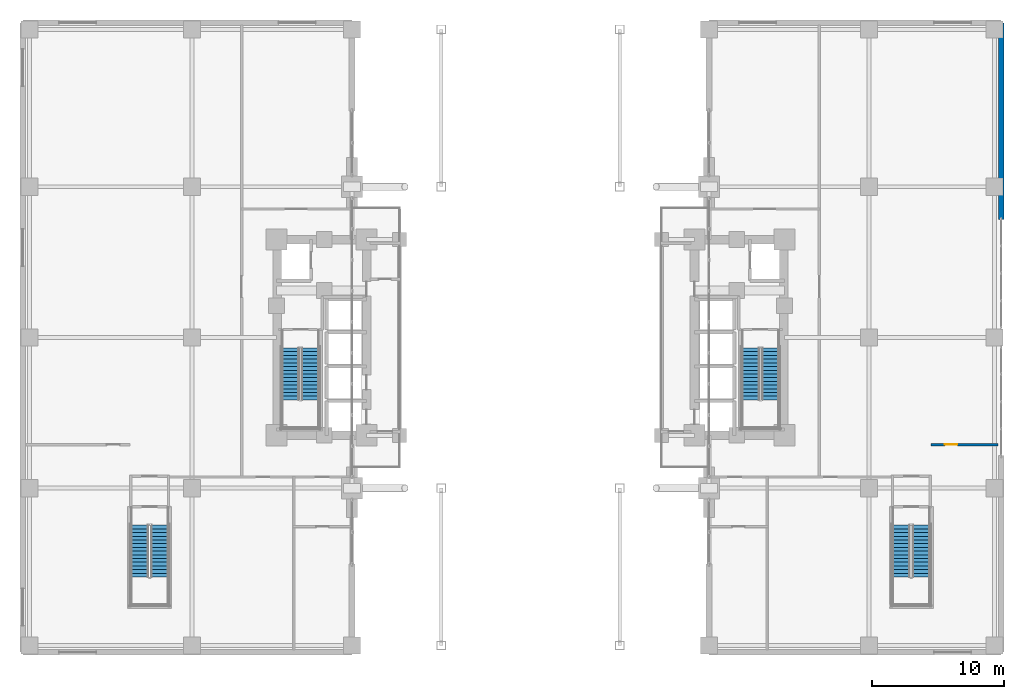
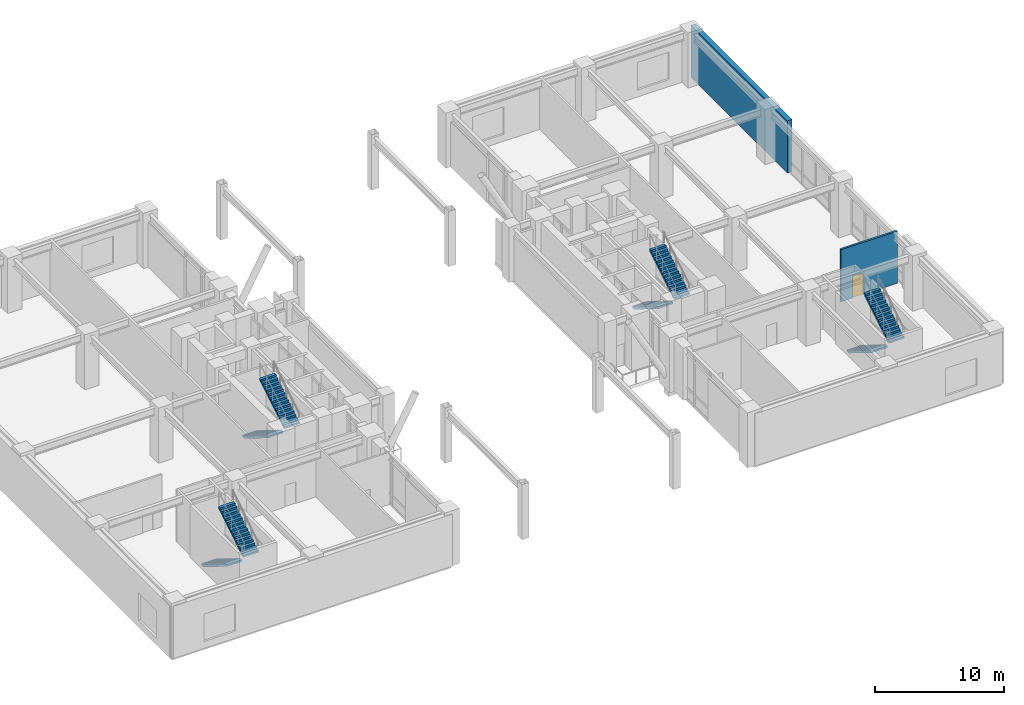
# One storey, part 23 of 27: 8 stair flights, 2 walls, 1 door, 1 opening, 4 elements without a shape of their own.
"""IFC4 building model written with IfcOpenShell, lengths in metres."""

from ifc_helpers import new_model, si_unit, direction, frame, frame_2d, origin, place, context, subcontext, project, spatial, polyline, rectangle, outline, extrude, material, layer, layer_set, type_object, element, fill, aggregate, save


model = new_model("IFC4")

# Units and contexts
model_context = context("Model", 3, precision=1e-05, world=origin(), true_north=direction((0.0, 1.0)))
body_context = subcontext(model_context, "Body", "Model", "MODEL_VIEW")
ifc_project = project(units=[si_unit("LENGTHUNIT", "METRE"), si_unit("AREAUNIT", "SQUARE_METRE"), si_unit("VOLUMEUNIT", "CUBIC_METRE"), si_unit("PLANEANGLEUNIT", "RADIAN"), si_unit("MASSUNIT", "GRAM", prefix="KILO")], contexts=[model_context])

# Site, building, storey
site_placement = place(None, origin())
site = spatial("IfcSite", under=ifc_project, at=site_placement, CompositionType="ELEMENT")
building_placement = place(site_placement, origin())
building = spatial("IfcBuilding", under=site, at=building_placement, Name="Voryun Gate Residences", CompositionType="ELEMENT")
storey_placement = place(building_placement, frame((0.0, 0.0, 5.199951171875)))
storey = spatial("IfcBuildingStorey", under=building, at=storey_placement, Name="L01", CompositionType="ELEMENT", Elevation=5.199951171875)

# Wall, opening, door
ifc_material_1 = material(Name="Gypsum acoustic fireboard")
ifc_layer_1 = layer(ifc_material_1, 0.179931640625, Name="W_CORR_RATED_180")
ifc_layer_set_1 = layer_set([ifc_layer_1], Name="Gypsum acoustic fireboard")
wall_type_1 = type_object("IfcWallType", Name="W_CORR_RATED_180", PredefinedType="PARTITIONING", material=ifc_layer_set_1)
wall_1_placement = place(storey_placement, frame((30.300048828125, -8.10009765625, 0.0), z_axis=(0.0, 0.0, 1.0), x_axis=(1.0, 0.0, 0.0)))
wall_1 = element("IfcWall", 1, at=wall_1_placement, inside=storey, type_object=wall_type_1, Name="Partition wall WP-L01-ECS1", PredefinedType="PARTITIONING", context=body_context, shape_type="SweptSolid", body=[
    extrude(rectangle(XDim=5.050048828125, YDim=0.179931640625, at=frame_2d((2.52490234375, 0.0))), origin(), (0.0, 0.0, 1.0), 4.920166015625),
])
opening_placement = place(wall_1_placement, frame((1.0400390625, 0.0, 0.0)))
opening = element("IfcOpeningElement", 2, at=opening_placement, cuts=wall_1, Name="Opening D-INT-1", PredefinedType="OPENING", context=body_context, shape_type="SweptSolid", body=[
    extrude(rectangle(XDim=0.949951171875, YDim=2.050048828125, at=frame_2d((0.47509765625, 1.02490234375))), frame((0.0, 0.099853515625, 0.0), z_axis=(0.0, -1.0, 0.0), x_axis=(1.0, 0.0, 0.0)), (0.0, 0.0, 1.0), 0.199951171875),
])
ifc_material_2 = material(Name="Architectural oak veneer")
door_type = type_object("IfcDoorType", Name="DR_INT_ROOM_950", OperationType="NOTDEFINED", PredefinedType="DOOR", material=ifc_material_2)
door_placement = place(opening_placement, origin())
door = element("IfcDoor", 3, at=door_placement, inside=storey, type_object=door_type, Name="Door DR-L01-ED3B", OperationType="SINGLE_SWING_RIGHT", OverallHeight=2.050048828125, OverallWidth=0.949951171875, PredefinedType="DOOR", context=body_context, shape_type="SweptSolid", body=[
    extrude(rectangle(XDim=0.949951171875, YDim=2.050048828125, at=frame_2d((0.47509765625, 1.02490234375))), frame((0.0, 0.02490234375, 0.0), z_axis=(0.0, -1.0, 0.0), x_axis=(1.0, 0.0, 0.0)), (0.0, 0.0, 1.0), 0.050048828125),
])
fill(opening, door)

# Wall
ifc_material_3 = material(Name="Granite masonry", Category="masonry")
ifc_layer_2 = layer(ifc_material_3, 0.419921875, Name="W_EXT_PODIUM_420")
ifc_layer_set_2 = layer_set([ifc_layer_2], Name="Granite masonry")
wall_type_2 = type_object("IfcWallType", Name="W_EXT_PODIUM_420", PredefinedType="ELEMENTEDWALL", material=ifc_layer_set_2)
wall_2_placement = place(storey_placement, frame((35.60009765625, 8.919921875, 0.0), z_axis=(0.0, 0.0, 1.0), x_axis=(0.0, 1.0, 0.0)))
element("IfcWall", 4, at=wall_2_placement, inside=storey, type_object=wall_type_2, Name="Exterior wall WEP-L01-EP-2B", PredefinedType="ELEMENTEDWALL", context=body_context, shape_type="SweptSolid", body=[
    extrude(rectangle(XDim=14.880126953125, YDim=0.419921875, at=frame_2d((7.43994140625, 0.0))), origin(), (0.0, 0.0, 1.0), 4.920166015625),
])

# Stair, stair flights
ifc_material_4 = material(Name="Concrete C40/50", Category="concrete")
stair_type_1 = type_object("IfcStairType", Name="STR_CORE_DOGLEG_1350", PredefinedType="HALF_TURN_STAIR", material=ifc_material_4)
stair_1_placement = place(storey_placement, origin())
stair_1 = element("IfcStair", 5, at=stair_1_placement, inside=storey, type_object=stair_type_1, Name="L01 Special Escape Stair ST-W1", PredefinedType="HALF_TURN_STAIR")
ifc_material_5 = material(Name="Concrete C40/50", Category="concrete")
stair_flight_type_1 = type_object("IfcStairFlightType", Name="FLT_CORE_1350", PredefinedType="STRAIGHT", material=ifc_material_5)
stair_flight_1_placement = place(storey_placement, frame((-18.14990234375, -0.800048828125, 0.0), z_axis=(0.0, 0.0, 1.0), x_axis=(0.0, -1.0, 0.0)))
stair_flight_1 = element("IfcStairFlight", 6, at=stair_flight_1_placement, type_object=stair_flight_type_1, Name="ST-W1 flight 1", NumberOfRisers=15, NumberOfTreads=14, PredefinedType="STRAIGHT", RiserHeight=0.173333333, TreadLength=0.28, context=body_context, shape_type="SweptSolid", body=[
    extrude(outline(polyline([(0.0, 0.0), (0.0, 0.17333984375), (0.280029296875, 0.17333984375), (0.280029296875, 0.3466796875), (0.56005859375, 0.3466796875), (0.56005859375, 0.52001953125), (0.840087890625, 0.52001953125), (0.840087890625, 0.693359375), (1.1201171875, 0.693359375), (1.1201171875, 0.86669921875), (1.39990234375, 0.86669921875), (1.39990234375, 1.0400390625), (1.679931640625, 1.0400390625), (1.679931640625, 1.21337890625), (1.9599609375, 1.21337890625), (1.9599609375, 1.38671875), (2.239990234375, 1.38671875), (2.239990234375, 1.56005859375), (2.52001953125, 1.56005859375), (2.52001953125, 1.7333984375), (2.800048828125, 1.7333984375), (2.800048828125, 1.90673828125), (3.080078125, 1.90673828125), (3.080078125, 2.080078125), (3.360107421875, 2.080078125), (3.360107421875, 2.25341796875), (3.639892578125, 2.25341796875), (3.639892578125, 2.4267578125), (3.919921875, 2.4267578125), (3.919921875, 2.60009765625), (3.919921875, 2.250244140625), (0.284912109375, 0.0), (0.0, 0.0)])), frame((0.0, 0.675048828125, 0.0), z_axis=(0.0, -1.0, 0.0), x_axis=(1.0, 0.0, 0.0)), (0.0, 0.0, 1.0), 1.35009765625),
])
stair_flight_2_placement = place(storey_placement, frame((-16.64990234375, -4.719970703125, 2.60009765625), z_axis=(0.0, 0.0, 1.0), x_axis=(0.0, 1.0, 0.0)))
stair_flight_2 = element("IfcStairFlight", 7, at=stair_flight_2_placement, type_object=stair_flight_type_1, Name="ST-W1 flight 2", NumberOfRisers=15, NumberOfTreads=14, PredefinedType="STRAIGHT", RiserHeight=0.173333333, TreadLength=0.28, context=body_context, shape_type="SweptSolid", body=[
    extrude(outline(polyline([(0.0, 0.0), (0.0, 0.17333984375), (0.280029296875, 0.17333984375), (0.280029296875, 0.3466796875), (0.56005859375, 0.3466796875), (0.56005859375, 0.52001953125), (0.840087890625, 0.52001953125), (0.840087890625, 0.693359375), (1.1201171875, 0.693359375), (1.1201171875, 0.86669921875), (1.39990234375, 0.86669921875), (1.39990234375, 1.0400390625), (1.679931640625, 1.0400390625), (1.679931640625, 1.21337890625), (1.9599609375, 1.21337890625), (1.9599609375, 1.38671875), (2.239990234375, 1.38671875), (2.239990234375, 1.56005859375), (2.52001953125, 1.56005859375), (2.52001953125, 1.7333984375), (2.800048828125, 1.7333984375), (2.800048828125, 1.90673828125), (3.080078125, 1.90673828125), (3.080078125, 2.080078125), (3.360107421875, 2.080078125), (3.360107421875, 2.25341796875), (3.639892578125, 2.25341796875), (3.639892578125, 2.4267578125), (3.919921875, 2.4267578125), (3.919921875, 2.60009765625), (3.919921875, 2.250244140625), (0.284912109375, 0.0), (0.0, 0.0)])), frame((0.0, 0.675048828125, 0.0), z_axis=(0.0, -1.0, 0.0), x_axis=(1.0, 0.0, 0.0)), (0.0, 0.0, 1.0), 1.35009765625),
])
aggregate(stair_1, [stair_flight_1, stair_flight_2])

stair_2_placement = place(storey_placement, origin())
stair_2 = element("IfcStair", 8, at=stair_2_placement, inside=storey, type_object=stair_type_1, Name="L01 Special Escape Stair ST-E1", PredefinedType="HALF_TURN_STAIR")
stair_flight_3_placement = place(storey_placement, frame((16.64990234375, -0.800048828125, 0.0), z_axis=(0.0, 0.0, 1.0), x_axis=(0.0, -1.0, 0.0)))
stair_flight_3 = element("IfcStairFlight", 9, at=stair_flight_3_placement, type_object=stair_flight_type_1, Name="ST-E1 flight 1", NumberOfRisers=15, NumberOfTreads=14, PredefinedType="STRAIGHT", RiserHeight=0.173333333, TreadLength=0.28, context=body_context, shape_type="SweptSolid", body=[
    extrude(outline(polyline([(0.0, 0.0), (0.0, 0.17333984375), (0.280029296875, 0.17333984375), (0.280029296875, 0.3466796875), (0.56005859375, 0.3466796875), (0.56005859375, 0.52001953125), (0.840087890625, 0.52001953125), (0.840087890625, 0.693359375), (1.1201171875, 0.693359375), (1.1201171875, 0.86669921875), (1.39990234375, 0.86669921875), (1.39990234375, 1.0400390625), (1.679931640625, 1.0400390625), (1.679931640625, 1.21337890625), (1.9599609375, 1.21337890625), (1.9599609375, 1.38671875), (2.239990234375, 1.38671875), (2.239990234375, 1.56005859375), (2.52001953125, 1.56005859375), (2.52001953125, 1.7333984375), (2.800048828125, 1.7333984375), (2.800048828125, 1.90673828125), (3.080078125, 1.90673828125), (3.080078125, 2.080078125), (3.360107421875, 2.080078125), (3.360107421875, 2.25341796875), (3.639892578125, 2.25341796875), (3.639892578125, 2.4267578125), (3.919921875, 2.4267578125), (3.919921875, 2.60009765625), (3.919921875, 2.250244140625), (0.284912109375, 0.0), (0.0, 0.0)])), frame((0.0, 0.675048828125, 0.0), z_axis=(0.0, -1.0, 0.0), x_axis=(1.0, 0.0, 0.0)), (0.0, 0.0, 1.0), 1.35009765625),
])
stair_flight_4_placement = place(storey_placement, frame((18.14990234375, -4.719970703125, 2.60009765625), z_axis=(0.0, 0.0, 1.0), x_axis=(0.0, 1.0, 0.0)))
stair_flight_4 = element("IfcStairFlight", 10, at=stair_flight_4_placement, type_object=stair_flight_type_1, Name="ST-E1 flight 2", NumberOfRisers=15, NumberOfTreads=14, PredefinedType="STRAIGHT", RiserHeight=0.173333333, TreadLength=0.28, context=body_context, shape_type="SweptSolid", body=[
    extrude(outline(polyline([(0.0, 0.0), (0.0, 0.17333984375), (0.280029296875, 0.17333984375), (0.280029296875, 0.3466796875), (0.56005859375, 0.3466796875), (0.56005859375, 0.52001953125), (0.840087890625, 0.52001953125), (0.840087890625, 0.693359375), (1.1201171875, 0.693359375), (1.1201171875, 0.86669921875), (1.39990234375, 0.86669921875), (1.39990234375, 1.0400390625), (1.679931640625, 1.0400390625), (1.679931640625, 1.21337890625), (1.9599609375, 1.21337890625), (1.9599609375, 1.38671875), (2.239990234375, 1.38671875), (2.239990234375, 1.56005859375), (2.52001953125, 1.56005859375), (2.52001953125, 1.7333984375), (2.800048828125, 1.7333984375), (2.800048828125, 1.90673828125), (3.080078125, 1.90673828125), (3.080078125, 2.080078125), (3.360107421875, 2.080078125), (3.360107421875, 2.25341796875), (3.639892578125, 2.25341796875), (3.639892578125, 2.4267578125), (3.919921875, 2.4267578125), (3.919921875, 2.60009765625), (3.919921875, 2.250244140625), (0.284912109375, 0.0), (0.0, 0.0)])), frame((0.0, 0.675048828125, 0.0), z_axis=(0.0, -1.0, 0.0), x_axis=(1.0, 0.0, 0.0)), (0.0, 0.0, 1.0), 1.35009765625),
])
aggregate(stair_2, [stair_flight_3, stair_flight_4])

ifc_material_6 = material(Name="Concrete C40/50", Category="concrete")
stair_type_2 = type_object("IfcStairType", Name="STR_CROWN_DOGLEG_1250", PredefinedType="HALF_TURN_STAIR", material=ifc_material_6)
stair_3_placement = place(storey_placement, origin())
stair_3 = element("IfcStair", 11, at=stair_3_placement, inside=storey, type_object=stair_type_2, Name="L01 Special Escape Stair ST-P1", PredefinedType="HALF_TURN_STAIR")
ifc_material_7 = material(Name="Concrete C40/50", Category="concrete")
stair_flight_type_2 = type_object("IfcStairFlightType", Name="FLT_CROWN_1250", PredefinedType="STRAIGHT", material=ifc_material_7)
stair_flight_5_placement = place(storey_placement, frame((-29.550048828125, -14.199951171875, 0.0), z_axis=(0.0, 0.0, 1.0), x_axis=(0.0, -1.0, 0.0)))
stair_flight_5 = element("IfcStairFlight", 12, at=stair_flight_5_placement, type_object=stair_flight_type_2, Name="ST-P1 flight 1", NumberOfRisers=15, NumberOfTreads=14, PredefinedType="STRAIGHT", RiserHeight=0.173333333, TreadLength=0.28, context=body_context, shape_type="SweptSolid", body=[
    extrude(outline(polyline([(0.0, 0.0), (0.0, 0.17333984375), (0.280029296875, 0.17333984375), (0.280029296875, 0.3466796875), (0.56005859375, 0.3466796875), (0.56005859375, 0.52001953125), (0.840087890625, 0.52001953125), (0.840087890625, 0.693359375), (1.1201171875, 0.693359375), (1.1201171875, 0.86669921875), (1.39990234375, 0.86669921875), (1.39990234375, 1.0400390625), (1.679931640625, 1.0400390625), (1.679931640625, 1.21337890625), (1.9599609375, 1.21337890625), (1.9599609375, 1.38671875), (2.239990234375, 1.38671875), (2.239990234375, 1.56005859375), (2.52001953125, 1.56005859375), (2.52001953125, 1.7333984375), (2.800048828125, 1.7333984375), (2.800048828125, 1.90673828125), (3.080078125, 1.90673828125), (3.080078125, 2.080078125), (3.360107421875, 2.080078125), (3.360107421875, 2.25341796875), (3.639892578125, 2.25341796875), (3.639892578125, 2.4267578125), (3.919921875, 2.4267578125), (3.919921875, 2.60009765625), (3.919921875, 2.250244140625), (0.284912109375, 0.0), (0.0, 0.0)])), frame((0.0, 0.675048828125, 0.0), z_axis=(0.0, -1.0, 0.0), x_axis=(1.0, 0.0, 0.0)), (0.0, 0.0, 1.0), 1.35009765625),
])
stair_flight_6_placement = place(storey_placement, frame((-28.050048828125, -18.1201171875, 2.60009765625), z_axis=(0.0, 0.0, 1.0), x_axis=(0.0, 1.0, 0.0)))
stair_flight_6 = element("IfcStairFlight", 13, at=stair_flight_6_placement, type_object=stair_flight_type_2, Name="ST-P1 flight 2", NumberOfRisers=15, NumberOfTreads=14, PredefinedType="STRAIGHT", RiserHeight=0.173333333, TreadLength=0.28, context=body_context, shape_type="SweptSolid", body=[
    extrude(outline(polyline([(0.0, 0.0), (0.0, 0.17333984375), (0.280029296875, 0.17333984375), (0.280029296875, 0.3466796875), (0.56005859375, 0.3466796875), (0.56005859375, 0.52001953125), (0.840087890625, 0.52001953125), (0.840087890625, 0.693359375), (1.1201171875, 0.693359375), (1.1201171875, 0.86669921875), (1.39990234375, 0.86669921875), (1.39990234375, 1.0400390625), (1.679931640625, 1.0400390625), (1.679931640625, 1.21337890625), (1.9599609375, 1.21337890625), (1.9599609375, 1.38671875), (2.239990234375, 1.38671875), (2.239990234375, 1.56005859375), (2.52001953125, 1.56005859375), (2.52001953125, 1.7333984375), (2.800048828125, 1.7333984375), (2.800048828125, 1.90673828125), (3.080078125, 1.90673828125), (3.080078125, 2.080078125), (3.360107421875, 2.080078125), (3.360107421875, 2.25341796875), (3.639892578125, 2.25341796875), (3.639892578125, 2.4267578125), (3.919921875, 2.4267578125), (3.919921875, 2.60009765625), (3.919921875, 2.250244140625), (0.284912109375, 0.0), (0.0, 0.0)])), frame((0.0, 0.675048828125, 0.0), z_axis=(0.0, -1.0, 0.0), x_axis=(1.0, 0.0, 0.0)), (0.0, 0.0, 1.0), 1.35009765625),
])
aggregate(stair_3, [stair_flight_5, stair_flight_6])

stair_4_placement = place(storey_placement, origin())
stair_4 = element("IfcStair", 14, at=stair_4_placement, inside=storey, type_object=stair_type_2, Name="L01 Special Escape Stair ST-P2", PredefinedType="HALF_TURN_STAIR")
stair_flight_7_placement = place(storey_placement, frame((28.050048828125, -14.199951171875, 0.0), z_axis=(0.0, 0.0, 1.0), x_axis=(0.0, -1.0, 0.0)))
stair_flight_7 = element("IfcStairFlight", 15, at=stair_flight_7_placement, type_object=stair_flight_type_2, Name="ST-P2 flight 1", NumberOfRisers=15, NumberOfTreads=14, PredefinedType="STRAIGHT", RiserHeight=0.173333333, TreadLength=0.28, context=body_context, shape_type="SweptSolid", body=[
    extrude(outline(polyline([(0.0, 0.0), (0.0, 0.17333984375), (0.280029296875, 0.17333984375), (0.280029296875, 0.3466796875), (0.56005859375, 0.3466796875), (0.56005859375, 0.52001953125), (0.840087890625, 0.52001953125), (0.840087890625, 0.693359375), (1.1201171875, 0.693359375), (1.1201171875, 0.86669921875), (1.39990234375, 0.86669921875), (1.39990234375, 1.0400390625), (1.679931640625, 1.0400390625), (1.679931640625, 1.21337890625), (1.9599609375, 1.21337890625), (1.9599609375, 1.38671875), (2.239990234375, 1.38671875), (2.239990234375, 1.56005859375), (2.52001953125, 1.56005859375), (2.52001953125, 1.7333984375), (2.800048828125, 1.7333984375), (2.800048828125, 1.90673828125), (3.080078125, 1.90673828125), (3.080078125, 2.080078125), (3.360107421875, 2.080078125), (3.360107421875, 2.25341796875), (3.639892578125, 2.25341796875), (3.639892578125, 2.4267578125), (3.919921875, 2.4267578125), (3.919921875, 2.60009765625), (3.919921875, 2.250244140625), (0.284912109375, 0.0), (0.0, 0.0)])), frame((0.0, 0.675048828125, 0.0), z_axis=(0.0, -1.0, 0.0), x_axis=(1.0, 0.0, 0.0)), (0.0, 0.0, 1.0), 1.35009765625),
])
stair_flight_8_placement = place(storey_placement, frame((29.550048828125, -18.1201171875, 2.60009765625), z_axis=(0.0, 0.0, 1.0), x_axis=(0.0, 1.0, 0.0)))
stair_flight_8 = element("IfcStairFlight", 16, at=stair_flight_8_placement, type_object=stair_flight_type_2, Name="ST-P2 flight 2", NumberOfRisers=15, NumberOfTreads=14, PredefinedType="STRAIGHT", RiserHeight=0.173333333, TreadLength=0.28, context=body_context, shape_type="SweptSolid", body=[
    extrude(outline(polyline([(0.0, 0.0), (0.0, 0.17333984375), (0.280029296875, 0.17333984375), (0.280029296875, 0.3466796875), (0.56005859375, 0.3466796875), (0.56005859375, 0.52001953125), (0.840087890625, 0.52001953125), (0.840087890625, 0.693359375), (1.1201171875, 0.693359375), (1.1201171875, 0.86669921875), (1.39990234375, 0.86669921875), (1.39990234375, 1.0400390625), (1.679931640625, 1.0400390625), (1.679931640625, 1.21337890625), (1.9599609375, 1.21337890625), (1.9599609375, 1.38671875), (2.239990234375, 1.38671875), (2.239990234375, 1.56005859375), (2.52001953125, 1.56005859375), (2.52001953125, 1.7333984375), (2.800048828125, 1.7333984375), (2.800048828125, 1.90673828125), (3.080078125, 1.90673828125), (3.080078125, 2.080078125), (3.360107421875, 2.080078125), (3.360107421875, 2.25341796875), (3.639892578125, 2.25341796875), (3.639892578125, 2.4267578125), (3.919921875, 2.4267578125), (3.919921875, 2.60009765625), (3.919921875, 2.250244140625), (0.284912109375, 0.0), (0.0, 0.0)])), frame((0.0, 0.675048828125, 0.0), z_axis=(0.0, -1.0, 0.0), x_axis=(1.0, 0.0, 0.0)), (0.0, 0.0, 1.0), 1.35009765625),
])
aggregate(stair_4, [stair_flight_7, stair_flight_8])

save(model, "model.ifc")
